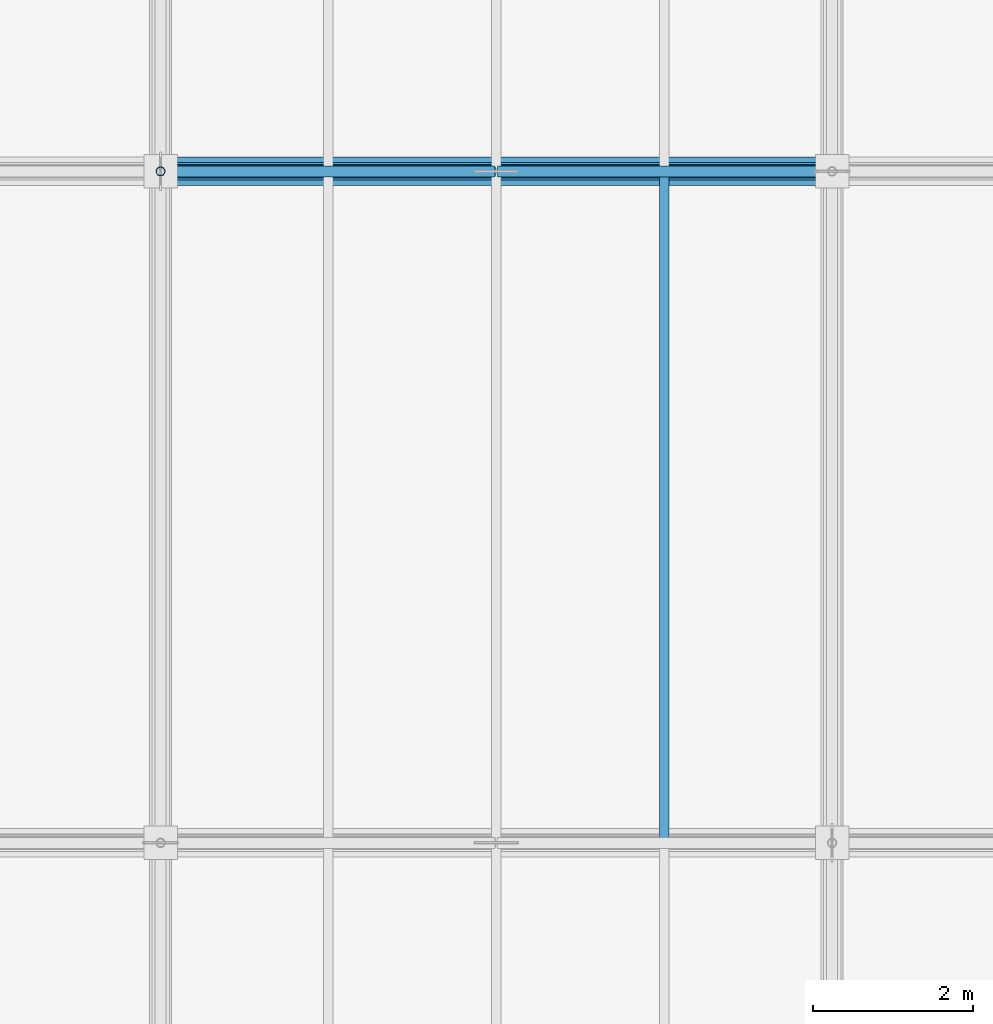
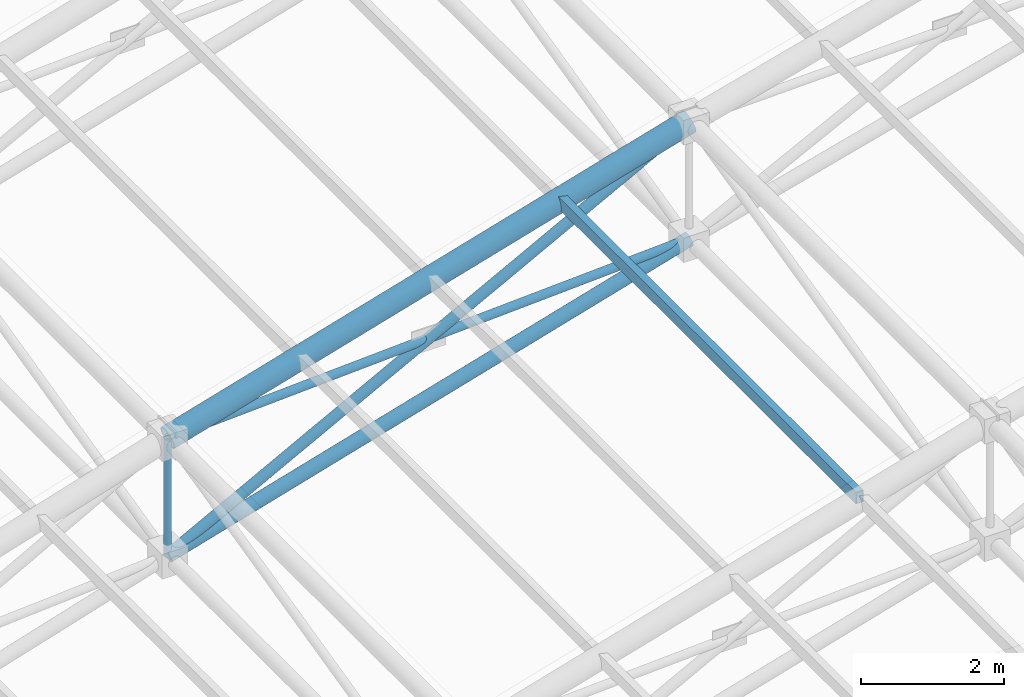
# One storey, part 36 of 144: 7 members.
"""IFC4 building model written with IfcOpenShell, lengths in metres."""

from ifc_helpers import new_model, si_unit, direction, frame, origin, origin_2d, place, context, subcontext, project, spatial, hollow_rectangle, hollow_circle, extrude, material, material_profile, profile_set, type_object, element, save


model = new_model("IFC4")

# Units and contexts
model_context = context("Model", 3, precision=1e-05, world=origin(), true_north=direction((0.0, 1.0)))
body_context = subcontext(model_context, "Body", "Model", "MODEL_VIEW")
ifc_project = project(units=[si_unit("LENGTHUNIT", "METRE"), si_unit("AREAUNIT", "SQUARE_METRE"), si_unit("VOLUMEUNIT", "CUBIC_METRE"), si_unit("PLANEANGLEUNIT", "RADIAN"), si_unit("MASSUNIT", "GRAM", prefix="KILO")], contexts=[model_context])

# Site, building, storey
site_placement = place(None, origin())
site = spatial("IfcSite", under=ifc_project, at=site_placement, CompositionType="ELEMENT")
building_placement = place(site_placement, origin())
building = spatial("IfcBuilding", under=site, at=building_placement, Name="Zayran Congress Hotel", CompositionType="ELEMENT")
storey_placement = place(building_placement, frame((0.0, 0.0, 19.199951171875)))
storey = spatial("IfcBuildingStorey", under=building, at=storey_placement, Name="L04", CompositionType="ELEMENT", Elevation=19.199951171875)

# Members
ifc_material = material(Name="Steel S355", Category="steel")
ifc_material_profile_1 = material_profile(ifc_material, hollow_circle(Radius=0.177734375, WallThickness=0.01611328125, at=origin_2d()), Name="CHS 355.6x16")
ifc_profile_set_1 = profile_set([ifc_material_profile_1], Name="Steel S355")
member_type_1 = type_object("IfcMemberType", Name="TP-SF-TC1", PredefinedType="CHORD", material=ifc_profile_set_1)
member_1_placement = place(storey_placement, frame((33.60009765625, 84.39990234375, 9.902099609375), z_axis=(0.960000625005, 0.0, 0.279997857116), x_axis=(0.0, 1.0, 0.0)))
element("IfcMember", 1, at=member_1_placement, inside=storey, type_object=member_type_1, Name="Space Frame Top Chord X 182", PredefinedType="CHORD", context=body_context, shape_type="SweptSolid", body=[
    extrude(hollow_circle(Radius=0.177734375, WallThickness=0.01611328125, at=origin_2d()), origin(), (0.0, 0.0, 1.0), 8.75),
])
ifc_material_profile_2 = material_profile(ifc_material, hollow_circle(Radius=0.109619140625, WallThickness=0.010009765625, at=origin_2d()), Name="CHS 219.1x10")
ifc_profile_set_2 = profile_set([ifc_material_profile_2], Name="Steel S355")
member_type_2 = type_object("IfcMemberType", Name="TP-SF-BC1", PredefinedType="CHORD", material=ifc_profile_set_2)
member_2_placement = place(storey_placement, frame((33.60009765625, 84.39990234375, 7.900146484375), z_axis=(0.960000625005, 0.0, 0.279997857116), x_axis=(0.0, 1.0, 0.0)))
element("IfcMember", 2, at=member_2_placement, inside=storey, type_object=member_type_2, Name="Space Frame Bottom Chord X 183", PredefinedType="CHORD", context=body_context, shape_type="SweptSolid", body=[
    extrude(hollow_circle(Radius=0.109619140625, WallThickness=0.010009765625, at=origin_2d()), origin(), (0.0, 0.0, 1.0), 8.75),
])
ifc_material_profile_3 = material_profile(ifc_material, hollow_circle(Radius=0.084228515625, WallThickness=0.008056640625, at=origin_2d()), Name="CHS 168.3x8")
ifc_profile_set_3 = profile_set([ifc_material_profile_3], Name="Steel S355")
member_type_3 = type_object("IfcMemberType", Name="TP-SF-DG1", PredefinedType="BRACE", material=ifc_profile_set_3)
member_3_placement = place(storey_placement, frame((33.60009765625, 84.39990234375, 7.900146484375), z_axis=(0.883574812642, 0.0, 0.46829002815), x_axis=(0.0, 1.0, 0.0)))
element("IfcMember", 3, at=member_3_placement, inside=storey, type_object=member_type_3, Name="Space Frame Web Diagonal X 184", PredefinedType="BRACE", context=body_context, shape_type="SweptSolid", body=[
    extrude(hollow_circle(Radius=0.084228515625, WallThickness=0.008056640625, at=origin_2d()), origin(), (0.0, 0.0, 1.0), 9.5068359375),
])
ifc_material_profile_4 = material_profile(ifc_material, hollow_circle(Radius=0.06982421875, WallThickness=0.00634765625, at=origin_2d()), Name="CHS 139.7x6.3")
ifc_profile_set_4 = profile_set([ifc_material_profile_4], Name="Steel S355")
member_type_4 = type_object("IfcMemberType", Name="TP-SF-DG2", PredefinedType="BRACE", material=ifc_profile_set_4)
member_4_placement = place(storey_placement, frame((33.60009765625, 84.39990234375, 9.902099609375), z_axis=(0.998581382954, 0.0, 0.053246799138), x_axis=(0.0, 1.0, 0.0)))
element("IfcMember", 4, at=member_4_placement, inside=storey, type_object=member_type_4, Name="Space Frame Counter Diagonal X Upper 185", PredefinedType="BRACE", context=body_context, shape_type="SweptSolid", body=[
    extrude(hollow_circle(Radius=0.06982421875, WallThickness=0.00634765625, at=origin_2d()), origin(), (0.0, 0.0, 1.0), 4.190673828125),
])
member_5_placement = place(storey_placement, frame((37.81494140625, 84.39990234375, 10.126953125), z_axis=(0.99858154811, 0.0, 0.053243701725), x_axis=(0.0, 1.0, 0.0)))
element("IfcMember", 5, at=member_5_placement, inside=storey, type_object=member_type_4, Name="Space Frame Counter Diagonal X Lower 30", PredefinedType="BRACE", context=body_context, shape_type="SweptSolid", body=[
    extrude(hollow_circle(Radius=0.06982421875, WallThickness=0.00634765625, at=origin_2d()), origin(), (0.0, 0.0, 1.0), 4.19091796875),
])
ifc_material_profile_5 = material_profile(ifc_material, hollow_circle(Radius=0.05712890625, WallThickness=0.00634765625, at=origin_2d()), Name="CHS 114.3x6.3")
ifc_profile_set_5 = profile_set([ifc_material_profile_5], Name="Steel S355")
member_type_5 = type_object("IfcMemberType", Name="TP-SF-DG3", PredefinedType="BRACE", material=ifc_profile_set_5)
member_6_placement = place(storey_placement, frame((33.60009765625, 84.39990234375, 7.900146484375), z_axis=(0.0, 0.0, 1.0), x_axis=(0.0, 1.0, 0.0)))
element("IfcMember", 6, at=member_6_placement, inside=storey, type_object=member_type_5, Name="Space Frame Web Strut 189", PredefinedType="BRACE", context=body_context, shape_type="SweptSolid", body=[
    extrude(hollow_circle(Radius=0.05712890625, WallThickness=0.00634765625, at=origin_2d()), origin(), (0.0, 0.0, 1.0), 2.001953125),
])
ifc_material_profile_6 = material_profile(ifc_material, hollow_rectangle(XDim=0.1201171875, YDim=0.199951171875, WallThickness=0.008056640625, at=origin_2d()), Name="RHS 200x120x8")
ifc_profile_set_6 = profile_set([ifc_material_profile_6], Name="Steel S355")
member_type_6 = type_object("IfcMemberType", Name="TP-PR-01", PredefinedType="PURLIN", material=ifc_profile_set_6)
member_7_placement = place(storey_placement, frame((39.89990234375, 76.0, 11.781494140625), z_axis=(0.0, 1.0, 0.0), x_axis=(-1.0, 0.0, 0.0)))
element("IfcMember", 7, at=member_7_placement, inside=storey, type_object=member_type_6, Name="MEM-PR-V1-0068", PredefinedType="PURLIN", context=body_context, shape_type="SweptSolid", body=[
    extrude(hollow_rectangle(XDim=0.1201171875, YDim=0.199951171875, WallThickness=0.008056640625, at=origin_2d()), origin(), (0.0, 0.0, 1.0), 8.39990234375),
])

save(model, "model.ifc")
